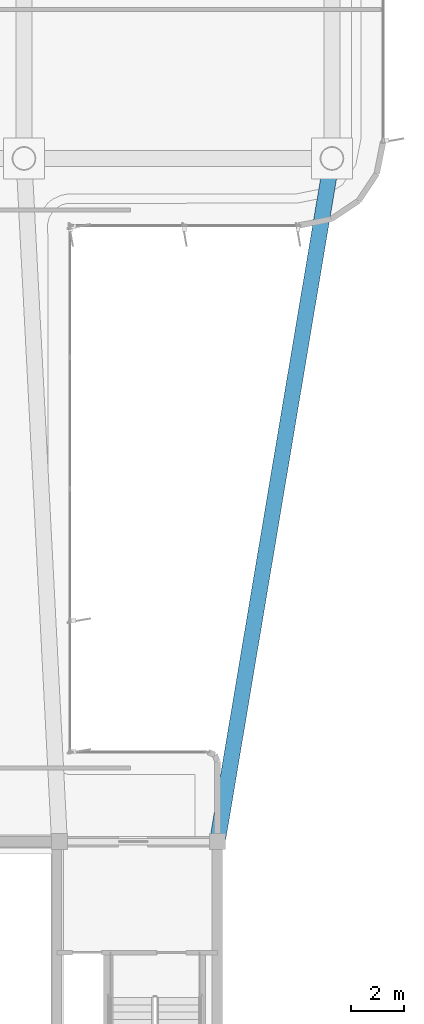
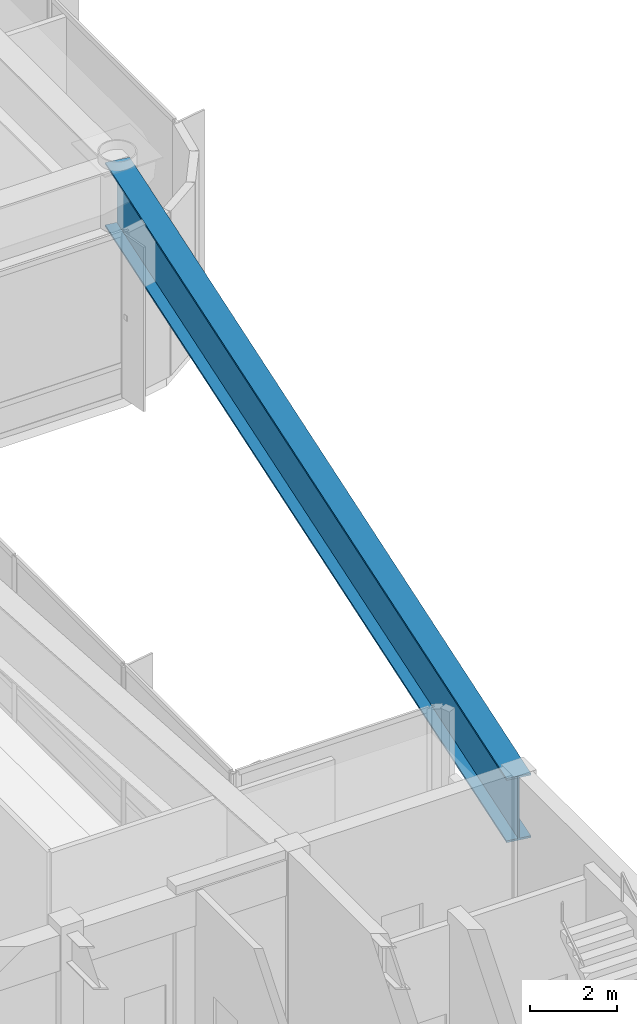
# One storey, part 4 of 13: 1 beam.
"""IFC4 building model written with IfcOpenShell, lengths in metres."""

from ifc_helpers import new_model, si_unit, direction, frame, origin, origin_2d, place, context, subcontext, project, spatial, i_section, extrude, source, transform, mapped, material, material_profile, profile_set, type_object, element, save


model = new_model("IFC4")

# Units and contexts
model_context = context("Model", 3, precision=1e-05, world=origin(), true_north=direction((0.0, 1.0)))
body_context = subcontext(model_context, "Body", "Model", "MODEL_VIEW")
ifc_project = project(units=[si_unit("LENGTHUNIT", "METRE"), si_unit("AREAUNIT", "SQUARE_METRE"), si_unit("VOLUMEUNIT", "CUBIC_METRE"), si_unit("PLANEANGLEUNIT", "RADIAN"), si_unit("MASSUNIT", "GRAM", prefix="KILO")], contexts=[model_context])

# Site, building, storey
site_placement = place(None, origin())
site = spatial("IfcSite", under=ifc_project, at=site_placement, CompositionType="ELEMENT")
building_placement = place(site_placement, origin())
building = spatial("IfcBuilding", under=site, at=building_placement, Name="Brelvock Crest Care Tower", CompositionType="ELEMENT")
storey_placement = place(building_placement, frame((0.0, 0.0, 291.06005859375)))
storey = spatial("IfcBuildingStorey", under=building, at=storey_placement, Name="L74", CompositionType="ELEMENT", Elevation=291.06005859375)

# Beam
ifc_material = material(Name="Steel Grade 350", Category="steel")
ifc_material_profile = material_profile(ifc_material, i_section(OverallWidth=0.60009765625, OverallDepth=1.800048828125, WebThickness=0.028076171875, FlangeThickness=0.052001953125, at=origin_2d()), Name="1800TG740")
ifc_profile_set = profile_set([ifc_material_profile], Name="Steel Grade 350")
beam_type = type_object("IfcBeamType", Name="BM-TG1", PredefinedType="USERDEFINED", material=ifc_profile_set)
shared_shape = source(origin(), body_context, "Body", "SweptSolid", [
    extrude(i_section(OverallWidth=0.60009765625, OverallDepth=1.800048828125, WebThickness=0.028076171875, FlangeThickness=0.052001953125, at=origin_2d()), origin(), (0.0, 0.0, 1.0), 26.31201171875),
])
beam_placement = place(storey_placement, frame((48.0, 18.0, 3.7099609375), z_axis=(0.165327282709, 0.986238758918, 0.0), x_axis=(-0.986238758918, 0.165327282709, 0.0)))
element("IfcBeam", 1, at=beam_placement, inside=storey, type_object=beam_type, Name="BM-THRO-E-L74", ObjectType="GIRDER", PredefinedType="USERDEFINED", context=body_context, shape_type="MappedRepresentation", body=[
    mapped(shared_shape, transform((0.0, 0.0, 0.0), x_axis=(1.0, 0.0, 0.0), y_axis=(0.0, 1.0, 0.0), z_axis=(0.0, 0.0, 1.0), scale=1.0)),
])

save(model, "model.ifc")
